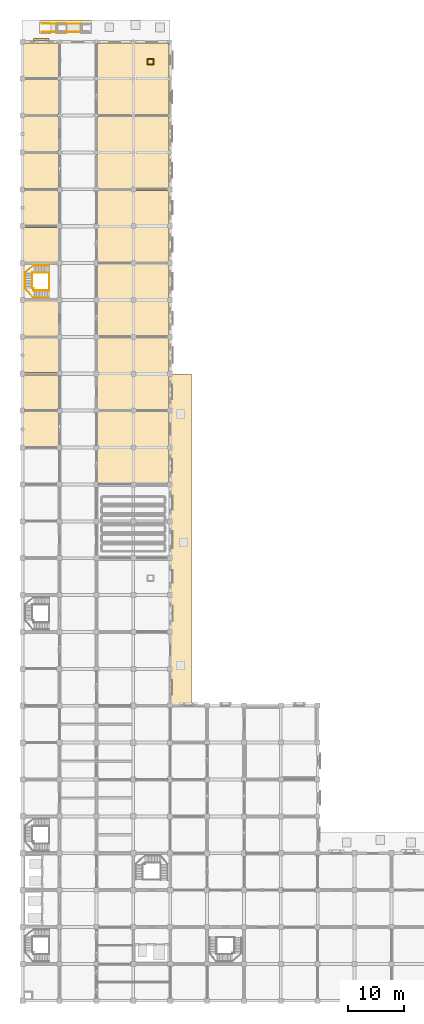
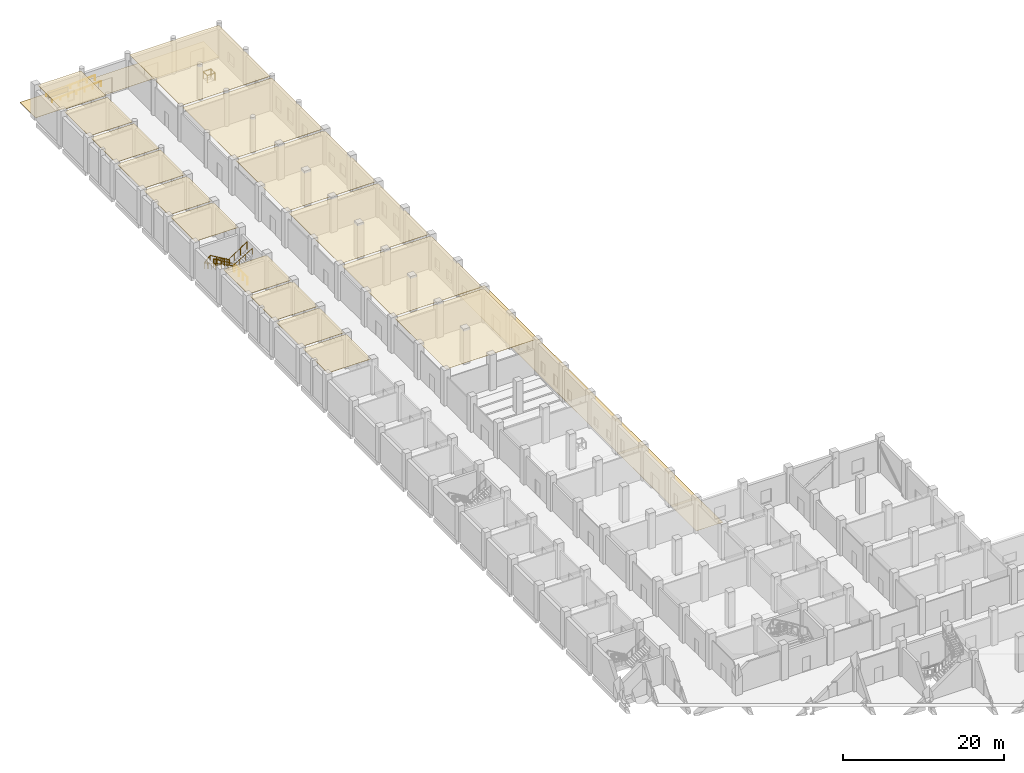
# One storey, part 27 of 28: 18 coverings, 6 railings, 1 shading device.
"""IFC4 building model written with IfcOpenShell, lengths in metres."""

from ifc_helpers import new_model, si_unit, direction, frame, origin, origin_2d, place, context, subcontext, project, spatial, polyline, rectangle, circle, outline, extrude, material, layer, layer_set, type_object, element, save


model = new_model("IFC4")

# Units and contexts
model_context = context("Model", 3, precision=1e-05, world=origin(), true_north=direction((0.0, 1.0)))
body_context = subcontext(model_context, "Body", "Model", "MODEL_VIEW")
ifc_project = project(units=[si_unit("LENGTHUNIT", "METRE"), si_unit("AREAUNIT", "SQUARE_METRE"), si_unit("VOLUMEUNIT", "CUBIC_METRE"), si_unit("PLANEANGLEUNIT", "RADIAN"), si_unit("MASSUNIT", "GRAM", prefix="KILO")], contexts=[model_context])

# Site, building, storey
site_placement = place(None, origin())
site = spatial("IfcSite", under=ifc_project, at=site_placement, CompositionType="ELEMENT")
building_placement = place(site_placement, origin())
building = spatial("IfcBuilding", under=site, at=building_placement, Name="Rusizi Kubbe Research Institute", CompositionType="ELEMENT")
storey_placement = place(building_placement, origin())
storey = spatial("IfcBuildingStorey", under=building, at=storey_placement, Name="L00", CompositionType="ELEMENT", Elevation=0.0)

# Coverings
ifc_material_1 = material(Name="Mineral-Fibre Acoustic Laboratory Ceiling", Category="masonry")
ifc_layer_1 = layer(ifc_material_1, 0.0400390625)
ifc_layer_set_1 = layer_set([ifc_layer_1], Name="Mineral-Fibre Acoustic Laboratory Ceiling")
covering_type_1 = type_object("IfcCoveringType", Name="CL-ACOUSTIC", PredefinedType="CEILING", material=ifc_layer_set_1)
covering_1_placement = place(storey_placement, frame((0.0, 0.0, 5.010009765625)))
element("IfcCovering", 1, at=covering_1_placement, inside=storey, type_object=covering_type_1, Name="Bioscience Wet Laboratory Ceiling L00-NW-06", PredefinedType="CEILING", context=body_context, shape_type="SweptSolid", body=[
    extrude(outline(polyline([(13.389892578125, 92.590087890625), (26.2099609375, 92.590087890625), (26.2099609375, 105.409912109375), (13.389892578125, 105.409912109375), (13.389892578125, 92.590087890625)])), origin(), (0.0, 0.0, 1.0), 0.0400390625),
])
covering_2_placement = place(storey_placement, frame((0.0, 0.0, 5.010009765625)))
element("IfcCovering", 2, at=covering_2_placement, inside=storey, type_object=covering_type_1, Name="Computational Dry Laboratory Ceiling L00-NW-07", PredefinedType="CEILING", context=body_context, shape_type="SweptSolid", body=[
    extrude(outline(polyline([(13.389892578125, 105.7900390625), (26.2099609375, 105.7900390625), (26.2099609375, 118.610107421875), (13.389892578125, 118.610107421875), (13.389892578125, 105.7900390625)])), origin(), (0.0, 0.0, 1.0), 0.0400390625),
])
covering_3_placement = place(storey_placement, frame((0.0, 0.0, 5.010009765625)))
element("IfcCovering", 3, at=covering_3_placement, inside=storey, type_object=covering_type_1, Name="Write-up Office Ceiling L00-NW-08", PredefinedType="CEILING", context=body_context, shape_type="SweptSolid", body=[
    extrude(outline(polyline([(13.389892578125, 118.989990234375), (26.2099609375, 118.989990234375), (26.2099609375, 131.81005859375), (13.389892578125, 131.81005859375), (13.389892578125, 118.989990234375)])), origin(), (0.0, 0.0, 1.0), 0.0400390625),
])
covering_4_placement = place(storey_placement, frame((0.0, 0.0, 5.010009765625)))
element("IfcCovering", 4, at=covering_4_placement, inside=storey, type_object=covering_type_1, Name="Bioscience Wet Laboratory Ceiling L00-NW-09", PredefinedType="CEILING", context=body_context, shape_type="SweptSolid", body=[
    extrude(outline(polyline([(13.389892578125, 132.18994140625), (26.2099609375, 132.18994140625), (26.2099609375, 145.010009765625), (13.389892578125, 145.010009765625), (13.389892578125, 132.18994140625)])), origin(), (0.0, 0.0, 1.0), 0.0400390625),
])
covering_5_placement = place(storey_placement, frame((0.0, 0.0, 5.010009765625)))
element("IfcCovering", 5, at=covering_5_placement, inside=storey, type_object=covering_type_1, Name="Computational Dry Laboratory Ceiling L00-NW-10", PredefinedType="CEILING", context=body_context, shape_type="SweptSolid", body=[
    extrude(outline(polyline([(13.389892578125, 145.389892578125), (26.2099609375, 145.389892578125), (26.2099609375, 158.2099609375), (13.389892578125, 158.2099609375), (13.389892578125, 145.389892578125)])), origin(), (0.0, 0.0, 1.0), 0.0400390625),
])
covering_6_placement = place(storey_placement, frame((0.0, 0.0, 5.010009765625)))
element("IfcCovering", 6, at=covering_6_placement, inside=storey, type_object=covering_type_1, Name="Write-up Office Ceiling L00-NW-11", PredefinedType="CEILING", context=body_context, shape_type="SweptSolid", body=[
    extrude(outline(polyline([(13.389892578125, 158.590087890625), (26.2099609375, 158.590087890625), (26.2099609375, 171.409912109375), (13.389892578125, 171.409912109375), (13.389892578125, 158.590087890625)])), origin(), (0.0, 0.0, 1.0), 0.0400390625),
])
ifc_material_2 = material(Name="Flush Cleanroom Aluminium HEPA Ceiling Grid", Category="aluminium")
ifc_layer_2 = layer(ifc_material_2, 0.044921875)
ifc_layer_set_2 = layer_set([ifc_layer_2], Name="Flush Cleanroom Aluminium HEPA Ceiling Grid")
covering_type_2 = type_object("IfcCoveringType", Name="CL-HEPA", PredefinedType="CEILING", material=ifc_layer_set_2)
covering_7_placement = place(storey_placement, frame((0.0, 0.0, 5.0048828125)))
element("IfcCovering", 7, at=covering_7_placement, inside=storey, type_object=covering_type_2, Name="Clean Room Gowning Airlock Ceiling L00-ALK-15", PredefinedType="CEILING", context=body_context, shape_type="SweptSolid", body=[
    extrude(outline(polyline([(0.18994140625, 99.18994140625), (6.409912109375, 99.18994140625), (6.409912109375, 105.409912109375), (0.18994140625, 105.409912109375), (0.18994140625, 99.18994140625)])), origin(), (0.0, 0.0, 1.0), 0.045166015625),
])
covering_8_placement = place(storey_placement, frame((0.0, 0.0, 5.0048828125)))
element("IfcCovering", 8, at=covering_8_placement, inside=storey, type_object=covering_type_2, Name="ISO-6 Clean Room Suite Ceiling L00-CR-16", PredefinedType="CEILING", context=body_context, shape_type="SweptSolid", body=[
    extrude(outline(polyline([(0.18994140625, 105.7900390625), (6.409912109375, 105.7900390625), (6.409912109375, 112.010009765625), (0.18994140625, 112.010009765625), (0.18994140625, 105.7900390625)])), origin(), (0.0, 0.0, 1.0), 0.045166015625),
])
covering_9_placement = place(storey_placement, frame((0.0, 0.0, 5.0048828125)))
element("IfcCovering", 9, at=covering_9_placement, inside=storey, type_object=covering_type_2, Name="Clean Room Gowning Airlock Ceiling L00-ALK-17", PredefinedType="CEILING", context=body_context, shape_type="SweptSolid", body=[
    extrude(outline(polyline([(0.18994140625, 112.389892578125), (6.409912109375, 112.389892578125), (6.409912109375, 118.610107421875), (0.18994140625, 118.610107421875), (0.18994140625, 112.389892578125)])), origin(), (0.0, 0.0, 1.0), 0.045166015625),
])
covering_10_placement = place(storey_placement, frame((0.0, 0.0, 5.0048828125)))
element("IfcCovering", 10, at=covering_10_placement, inside=storey, type_object=covering_type_2, Name="ISO-6 Clean Room Suite Ceiling L00-CR-18", PredefinedType="CEILING", context=body_context, shape_type="SweptSolid", body=[
    extrude(outline(polyline([(0.18994140625, 118.989990234375), (6.409912109375, 118.989990234375), (6.409912109375, 125.2099609375), (0.18994140625, 125.2099609375), (0.18994140625, 118.989990234375)])), origin(), (0.0, 0.0, 1.0), 0.045166015625),
])
covering_11_placement = place(storey_placement, frame((0.0, 0.0, 5.0048828125)))
element("IfcCovering", 11, at=covering_11_placement, inside=storey, type_object=covering_type_2, Name="Clean Room Gowning Airlock Ceiling L00-ALK-20", PredefinedType="CEILING", context=body_context, shape_type="SweptSolid", body=[
    extrude(outline(polyline([(0.18994140625, 132.18994140625), (6.409912109375, 132.18994140625), (6.409912109375, 138.409912109375), (0.18994140625, 138.409912109375), (0.18994140625, 132.18994140625)])), origin(), (0.0, 0.0, 1.0), 0.045166015625),
])
covering_12_placement = place(storey_placement, frame((0.0, 0.0, 5.0048828125)))
element("IfcCovering", 12, at=covering_12_placement, inside=storey, type_object=covering_type_2, Name="ISO-6 Clean Room Suite Ceiling L00-CR-21", PredefinedType="CEILING", context=body_context, shape_type="SweptSolid", body=[
    extrude(outline(polyline([(0.18994140625, 138.7900390625), (6.409912109375, 138.7900390625), (6.409912109375, 145.010009765625), (0.18994140625, 145.010009765625), (0.18994140625, 138.7900390625)])), origin(), (0.0, 0.0, 1.0), 0.045166015625),
])
covering_13_placement = place(storey_placement, frame((0.0, 0.0, 5.0048828125)))
element("IfcCovering", 13, at=covering_13_placement, inside=storey, type_object=covering_type_2, Name="Clean Room Gowning Airlock Ceiling L00-ALK-22", PredefinedType="CEILING", context=body_context, shape_type="SweptSolid", body=[
    extrude(outline(polyline([(0.18994140625, 145.389892578125), (6.409912109375, 145.389892578125), (6.409912109375, 151.610107421875), (0.18994140625, 151.610107421875), (0.18994140625, 145.389892578125)])), origin(), (0.0, 0.0, 1.0), 0.045166015625),
])
covering_14_placement = place(storey_placement, frame((0.0, 0.0, 5.0048828125)))
element("IfcCovering", 14, at=covering_14_placement, inside=storey, type_object=covering_type_2, Name="ISO-6 Clean Room Suite Ceiling L00-CR-23", PredefinedType="CEILING", context=body_context, shape_type="SweptSolid", body=[
    extrude(outline(polyline([(0.18994140625, 151.989990234375), (6.409912109375, 151.989990234375), (6.409912109375, 158.2099609375), (0.18994140625, 158.2099609375), (0.18994140625, 151.989990234375)])), origin(), (0.0, 0.0, 1.0), 0.045166015625),
])
covering_15_placement = place(storey_placement, frame((0.0, 0.0, 5.0048828125)))
element("IfcCovering", 15, at=covering_15_placement, inside=storey, type_object=covering_type_2, Name="Clean Room Gowning Airlock Ceiling L00-ALK-24", PredefinedType="CEILING", context=body_context, shape_type="SweptSolid", body=[
    extrude(outline(polyline([(0.18994140625, 158.590087890625), (6.409912109375, 158.590087890625), (6.409912109375, 164.81005859375), (0.18994140625, 164.81005859375), (0.18994140625, 158.590087890625)])), origin(), (0.0, 0.0, 1.0), 0.045166015625),
])
covering_16_placement = place(storey_placement, frame((0.0, 0.0, 5.0048828125)))
element("IfcCovering", 16, at=covering_16_placement, inside=storey, type_object=covering_type_2, Name="ISO-6 Clean Room Suite Ceiling L00-CR-25", PredefinedType="CEILING", context=body_context, shape_type="SweptSolid", body=[
    extrude(outline(polyline([(0.18994140625, 165.18994140625), (6.409912109375, 165.18994140625), (6.409912109375, 171.409912109375), (0.18994140625, 171.409912109375), (0.18994140625, 165.18994140625)])), origin(), (0.0, 0.0, 1.0), 0.045166015625),
])
ifc_material_3 = material(Name="Rwandan Basalt Cobble Paving", Category="masonry")
ifc_layer_3 = layer(ifc_material_3, 0.02001953125)
ifc_layer_set_3 = layer_set([ifc_layer_3], Name="Rwandan Basalt Cobble Paving")
covering_type_3 = type_object("IfcCoveringType", Name="COV-PAVING", PredefinedType="FLOORING", material=ifc_layer_set_3)
covering_17_placement = place(storey_placement, origin())
element("IfcCovering", 17, at=covering_17_placement, inside=storey, type_object=covering_type_3, Name="Site Forecourt Access Paving NORTH-STREET", PredefinedType="FLOORING", context=body_context, shape_type="SweptSolid", body=[
    extrude(outline(polyline([(26.39990234375, 175.5), (26.39990234375, 171.60009765625), (0.0, 171.60009765625), (0.0, 175.5), (26.39990234375, 175.5)])), origin(), (0.0, 0.0, 1.0), 0.02001953125),
])
covering_18_placement = place(storey_placement, origin())
element("IfcCovering", 18, at=covering_18_placement, inside=storey, type_object=covering_type_3, Name="Site Forecourt Access Paving CLOISTER-WEST", PredefinedType="FLOORING", context=body_context, shape_type="SweptSolid", body=[
    extrude(outline(polyline([(26.39990234375, 52.800048828125), (26.39990234375, 112.199951171875), (30.199951171875, 112.199951171875), (30.199951171875, 52.800048828125), (26.39990234375, 52.800048828125)])), origin(), (0.0, 0.0, 1.0), 0.02001953125),
])

# Railings
ifc_material_4 = material(Name="Painted Steel Stair Guard", Category="steel")
railing_type_1 = type_object("IfcRailingType", Name="GR-STAIR", PredefinedType="GUARDRAIL", material=ifc_material_4)
railing_1_placement = place(storey_placement, frame((4.780029296875, 130.2900390625, 0.081787109375)))
element("IfcRailing", 19, at=railing_1_placement, inside=storey, type_object=railing_type_1, Name="Stair Inner Well Guard ST6 L00", PredefinedType="GUARDRAIL", context=body_context, shape_type="SweptSolid", body=[
    extrude(circle(Radius=0.02392578125, at=origin_2d()), frame((0.0, 0.0, 1.09619140625), z_axis=(-0.855598663518, 0.0, 0.517639765653), x_axis=(0.0, -1.0, 0.0)), (0.0, 0.0, 1.0), 3.3193359375),
    extrude(circle(Radius=0.02392578125, at=origin_2d()), frame((-2.840087890625, 0.0, 2.814453125), z_axis=(-1.0, 0.0, 0.0), x_axis=(0.0, -1.0, 0.0)), (0.0, 0.0, 1.0), 0.22998046875),
    extrude(circle(Radius=0.02392578125, at=origin_2d()), frame((-3.070068359375, 0.0, 2.814453125), z_axis=(0.0, 0.439690925609, 0.898149146822), x_axis=(-1.0, 0.0, 0.0)), (0.0, 0.0, 1.0), 0.091064453125),
    extrude(circle(Radius=0.02392578125, at=origin_2d()), frame((-3.070068359375, 0.0400390625, 2.89599609375), z_axis=(0.0, -0.85231595241, 0.523027262452), x_axis=(1.0, 0.0, 0.0)), (0.0, 0.0, 1.0), 3.28515625),
    extrude(circle(Radius=0.02392578125, at=origin_2d()), frame((-3.070068359375, -2.760009765625, 4.6142578125), z_axis=(0.0, -1.0, 0.0), x_axis=(1.0, 0.0, 0.0)), (0.0, 0.0, 1.0), 0.0400390625),
    extrude(circle(Radius=0.02392578125, at=origin_2d()), frame((-3.070068359375, -2.800048828125, 4.6142578125), z_axis=(1.0, 0.0, 0.0), x_axis=(0.0, 1.0, 0.0)), (0.0, 0.0, 1.0), 0.22998046875),
    extrude(circle(Radius=0.02392578125, at=origin_2d()), frame((-2.840087890625, -2.800048828125, 4.6142578125), z_axis=(0.0, -1.0, 0.0), x_axis=(1.0, 0.0, 0.0)), (0.0, 0.0, 1.0), 0.3798828125),
    extrude(circle(Radius=0.02392578125, at=origin_2d()), frame((-2.840087890625, -3.179931640625, 4.6142578125), z_axis=(0.837638602289, 0.0, 0.546224836451), x_axis=(0.0, 1.0, 0.0)), (0.0, 0.0, 1.0), 3.294921875),
    extrude(circle(Radius=0.02099609375, at=origin_2d()), origin(), (0.0, 0.0, 1.0), 1.072021484375),
    extrude(circle(Radius=0.02099609375, at=origin_2d()), frame((-0.94677734375, 0.0, 0.57275390625)), (0.0, 0.0, 1.0), 1.072021484375),
    extrude(circle(Radius=0.02099609375, at=origin_2d()), frame((-1.893310546875, 0.0, 1.1455078125)), (0.0, 0.0, 1.0), 1.072021484375),
    extrude(circle(Radius=0.02099609375, at=origin_2d()), frame((-2.840087890625, 0.0, 1.71826171875)), (0.0, 0.0, 1.0), 1.072021484375),
    extrude(circle(Radius=0.02099609375, at=origin_2d()), frame((-3.070068359375, 0.0, 1.71826171875)), (0.0, 0.0, 1.0), 1.072021484375),
    extrude(circle(Radius=0.02099609375, at=origin_2d()), frame((-3.070068359375, 0.0400390625, 1.800048828125)), (0.0, 0.0, 1.0), 1.072021484375),
    extrude(circle(Radius=0.02099609375, at=origin_2d()), frame((-3.070068359375, -0.893310546875, 2.372802734375)), (0.0, 0.0, 1.0), 1.072021484375),
    extrude(circle(Radius=0.02099609375, at=origin_2d()), frame((-3.070068359375, -1.82666015625, 2.945556640625)), (0.0, 0.0, 1.0), 1.072021484375),
    extrude(circle(Radius=0.02099609375, at=origin_2d()), frame((-3.070068359375, -2.760009765625, 3.518310546875)), (0.0, 0.0, 1.0), 1.072021484375),
    extrude(circle(Radius=0.02099609375, at=origin_2d()), frame((-3.070068359375, -2.800048828125, 3.518310546875)), (0.0, 0.0, 1.0), 1.072021484375),
    extrude(circle(Radius=0.02099609375, at=origin_2d()), frame((-2.840087890625, -2.800048828125, 3.518310546875)), (0.0, 0.0, 1.0), 1.072021484375),
    extrude(circle(Radius=0.02099609375, at=origin_2d()), frame((-2.840087890625, -3.179931640625, 3.518310546875)), (0.0, 0.0, 1.0), 1.072021484375),
    extrude(circle(Radius=0.02099609375, at=origin_2d()), frame((-1.920166015625, -3.179931640625, 4.1181640625)), (0.0, 0.0, 1.0), 1.072021484375),
    extrude(circle(Radius=0.02099609375, at=origin_2d()), frame((-1.0, -3.179931640625, 4.71826171875)), (0.0, 0.0, 1.0), 1.072021484375),
    extrude(circle(Radius=0.02099609375, at=origin_2d()), frame((-0.080078125, -3.179931640625, 5.318115234375)), (0.0, 0.0, 1.0), 1.072021484375),
])
railing_2_placement = place(storey_placement, frame((4.75, 130.2900390625, 0.0)))
element("IfcRailing", 20, at=railing_2_placement, inside=storey, type_object=railing_type_1, Name="Stair Floor Edge Guard ST6 L00", PredefinedType="GUARDRAIL", context=body_context, shape_type="SweptSolid", body=[
    extrude(circle(Radius=0.02392578125, at=origin_2d()), frame((0.0, 0.0, 1.09619140625), z_axis=(0.0, -1.0, 0.0), x_axis=(1.0, 0.0, 0.0)), (0.0, 0.0, 1.0), 3.179931640625),
    extrude(circle(Radius=0.02099609375, at=origin_2d()), origin(), (0.0, 0.0, 1.0), 1.072021484375),
    extrude(circle(Radius=0.02099609375, at=origin_2d()), frame((0.0, -1.06005859375, 0.0)), (0.0, 0.0, 1.0), 1.072021484375),
    extrude(circle(Radius=0.02099609375, at=origin_2d()), frame((0.0, -2.119873046875, 0.0)), (0.0, 0.0, 1.0), 1.072021484375),
    extrude(circle(Radius=0.02099609375, at=origin_2d()), frame((0.0, -3.179931640625, 0.0)), (0.0, 0.0, 1.0), 1.072021484375),
])
railing_3_placement = place(storey_placement, frame((22.320068359375, 167.52001953125, 0.0)))
element("IfcRailing", 21, at=railing_3_placement, inside=storey, type_object=railing_type_1, Name="Service Riser Guard L00 NORTHB", PredefinedType="GUARDRAIL", context=body_context, shape_type="SweptSolid", body=[
    extrude(circle(Radius=0.02392578125, at=origin_2d()), frame((0.0, 0.0, 1.09619140625), z_axis=(1.0, 0.0, 0.0), x_axis=(0.0, 1.0, 0.0)), (0.0, 0.0, 1.0), 1.10986328125),
    extrude(circle(Radius=0.02392578125, at=origin_2d()), frame((1.10986328125, 0.0, 1.09619140625), z_axis=(0.0, 1.0, 0.0), x_axis=(-1.0, 0.0, 0.0)), (0.0, 0.0, 1.0), 1.010009765625),
    extrude(circle(Radius=0.02392578125, at=origin_2d()), frame((1.10986328125, 1.010009765625, 1.09619140625), z_axis=(-1.0, 0.0, 0.0), x_axis=(0.0, -1.0, 0.0)), (0.0, 0.0, 1.0), 1.10986328125),
    extrude(circle(Radius=0.02392578125, at=origin_2d()), frame((0.0, 1.010009765625, 1.09619140625), z_axis=(0.0, -1.0, 0.0), x_axis=(1.0, 0.0, 0.0)), (0.0, 0.0, 1.0), 1.010009765625),
    extrude(circle(Radius=0.02099609375, at=origin_2d()), origin(), (0.0, 0.0, 1.0), 1.072021484375),
    extrude(circle(Radius=0.02099609375, at=origin_2d()), frame((1.10986328125, 0.0, 0.0)), (0.0, 0.0, 1.0), 1.072021484375),
    extrude(circle(Radius=0.02099609375, at=origin_2d()), frame((1.10986328125, 1.010009765625, 0.0)), (0.0, 0.0, 1.0), 1.072021484375),
    extrude(circle(Radius=0.02099609375, at=origin_2d()), frame((0.0, 1.010009765625, 0.0)), (0.0, 0.0, 1.0), 1.072021484375),
])
ifc_material_5 = material(Name="Brushed Stainless Steel Handrail", Category="steel")
railing_type_2 = type_object("IfcRailingType", Name="HR-RAMP", PredefinedType="HANDRAIL", material=ifc_material_5)
for number, where, name in (
    (22, (3.39990234375, 173.360107421875, -0.419921875), "Ramp Handrail RAMP-NORTH-01-A"),
    (23, (3.39990234375, 174.840087890625, -0.419921875), "Ramp Handrail RAMP-NORTH-01-B"),
):
    element("IfcRailing", number, at=place(storey_placement, frame(where)), inside=storey, type_object=railing_type_2, Name=name, PredefinedType="HANDRAIL", context=body_context, shape_type="SweptSolid", body=[
        extrude(circle(Radius=0.02392578125, at=origin_2d()), frame((0.0, 0.0, 0.8759765625), z_axis=(0.998205511447, 0.0, 0.05988119), x_axis=(0.0, 1.0, 0.0)), (0.0, 0.0, 1.0), 7.0126953125),
        extrude(circle(Radius=0.02099609375, at=origin_2d()), origin(), (0.0, 0.0, 1.0), 0.851806640625),
        extrude(circle(Radius=0.02099609375, at=origin_2d()), frame((1.166748046875, 0.0, 0.070068359375)), (0.0, 0.0, 1.0), 0.851806640625),
        extrude(circle(Radius=0.02099609375, at=origin_2d()), frame((2.333251953125, 0.0, 0.139892578125)), (0.0, 0.0, 1.0), 0.851806640625),
        extrude(circle(Radius=0.02099609375, at=origin_2d()), frame((3.5, 0.0, 0.2099609375)), (0.0, 0.0, 1.0), 0.851806640625),
        extrude(circle(Radius=0.02099609375, at=origin_2d()), frame((4.666748046875, 0.0, 0.280029296875)), (0.0, 0.0, 1.0), 0.851806640625),
        extrude(circle(Radius=0.02099609375, at=origin_2d()), frame((5.833251953125, 0.0, 0.349853515625)), (0.0, 0.0, 1.0), 0.851806640625),
        extrude(circle(Radius=0.02099609375, at=origin_2d()), frame((7.0, 0.0, 0.419921875)), (0.0, 0.0, 1.0), 0.851806640625),
    ])
ifc_material_6 = material(Name="Brushed Stainless Steel Handrail", Category="steel")
railing_type_3 = type_object("IfcRailingType", Name="HR-STAIR", PredefinedType="HANDRAIL", material=ifc_material_6)
railing_4_placement = place(storey_placement, frame((4.780029296875, 131.580078125, 0.16357421875)))
element("IfcRailing", 24, at=railing_4_placement, inside=storey, type_object=railing_type_3, Name="Stair Wall Handrail ST6 L00", PredefinedType="HANDRAIL", context=body_context, shape_type="SweptSolid", body=[
    extrude(circle(Radius=0.02392578125, at=origin_2d()), frame((0.0, 0.0, 0.8759765625), z_axis=(-0.863360870873, 0.0, 0.504586966384), x_axis=(0.0, -1.0, 0.0)), (0.0, 0.0, 1.0), 3.2431640625),
    extrude(circle(Radius=0.02392578125, at=origin_2d()), frame((-2.800048828125, 0.0, 2.51220703125), z_axis=(-0.777792534669, -0.623207789907, 0.081552581882), x_axis=(0.625290607566, -0.78039198874, 0.0)), (0.0, 0.0, 1.0), 2.005859375),
    extrude(circle(Radius=0.02392578125, at=origin_2d()), frame((-4.360107421875, -1.25, 2.67578125), z_axis=(0.0, -0.863360870873, 0.504586966384), x_axis=(1.0, 0.0, 0.0)), (0.0, 0.0, 1.0), 3.2431640625),
    extrude(circle(Radius=0.02392578125, at=origin_2d()), frame((-4.360107421875, -4.050048828125, 4.3125), z_axis=(0.65426471018, -0.752828984738, 0.072015336918), x_axis=(0.754788775087, 0.655967914614, 0.0)), (0.0, 0.0, 1.0), 2.271484375),
    extrude(circle(Radius=0.02392578125, at=origin_2d()), frame((-2.8740234375, -5.760009765625, 4.47607421875), z_axis=(0.86291342459, 0.0, 0.505351780112), x_axis=(0.0, 1.0, 0.0)), (0.0, 0.0, 1.0), 3.23779296875),
    extrude(circle(Radius=0.02099609375, at=origin_2d()), origin(), (0.0, 0.0, 1.0), 0.851806640625),
    extrude(circle(Radius=0.02099609375, at=origin_2d()), frame((-0.933349609375, 0.0, 0.54541015625)), (0.0, 0.0, 1.0), 0.851806640625),
    extrude(circle(Radius=0.02099609375, at=origin_2d()), frame((-1.86669921875, 0.0, 1.091064453125)), (0.0, 0.0, 1.0), 0.851806640625),
    extrude(circle(Radius=0.02099609375, at=origin_2d()), frame((-2.800048828125, 0.0, 1.636474609375)), (0.0, 0.0, 1.0), 0.851806640625),
    extrude(circle(Radius=0.02099609375, at=origin_2d()), frame((-3.580078125, -0.625, 1.71826171875)), (0.0, 0.0, 1.0), 0.851806640625),
    extrude(circle(Radius=0.02099609375, at=origin_2d()), frame((-4.360107421875, -1.25, 1.800048828125)), (0.0, 0.0, 1.0), 0.851806640625),
    extrude(circle(Radius=0.02099609375, at=origin_2d()), frame((-4.360107421875, -2.183349609375, 2.345458984375)), (0.0, 0.0, 1.0), 0.851806640625),
    extrude(circle(Radius=0.02099609375, at=origin_2d()), frame((-4.360107421875, -3.11669921875, 2.89111328125)), (0.0, 0.0, 1.0), 0.851806640625),
    extrude(circle(Radius=0.02099609375, at=origin_2d()), frame((-4.360107421875, -4.050048828125, 3.4365234375)), (0.0, 0.0, 1.0), 0.851806640625),
    extrude(circle(Radius=0.02099609375, at=origin_2d()), frame((-3.6171875, -4.905029296875, 3.518310546875)), (0.0, 0.0, 1.0), 0.851806640625),
    extrude(circle(Radius=0.02099609375, at=origin_2d()), frame((-2.8740234375, -5.760009765625, 3.60009765625)), (0.0, 0.0, 1.0), 0.851806640625),
    extrude(circle(Radius=0.02099609375, at=origin_2d()), frame((-1.942626953125, -5.760009765625, 4.1455078125)), (0.0, 0.0, 1.0), 0.851806640625),
    extrude(circle(Radius=0.02099609375, at=origin_2d()), frame((-1.011474609375, -5.760009765625, 4.69091796875)), (0.0, 0.0, 1.0), 0.851806640625),
    extrude(circle(Radius=0.02099609375, at=origin_2d()), frame((-0.080078125, -5.760009765625, 5.236328125)), (0.0, 0.0, 1.0), 0.851806640625),
])

# Shading device
ifc_material_7 = material(Name="Extruded Aluminium Solar Louver", Category="aluminium")
shading_device_type = type_object("IfcShadingDeviceType", Name="SD-02", PredefinedType="SHUTTER", material=ifc_material_7)
shading_device_placement = place(storey_placement, frame((3.35009765625, 171.99755859375, 2.26025390625), z_axis=(0.0, 0.0, 1.0), x_axis=(1.0, 0.0, 0.0)))
element("IfcShadingDevice", 25, at=shading_device_placement, inside=storey, type_object=shading_device_type, Name="Solar Shading Louver SD-02-001", PredefinedType="SHUTTER", context=body_context, shape_type="SweptSolid", body=[
    extrude(rectangle(XDim=2.800048828125, YDim=0.419921875, at=origin_2d()), origin(), (0.0, 0.0, 1.0), 0.699951171875),
])

save(model, "model.ifc")
